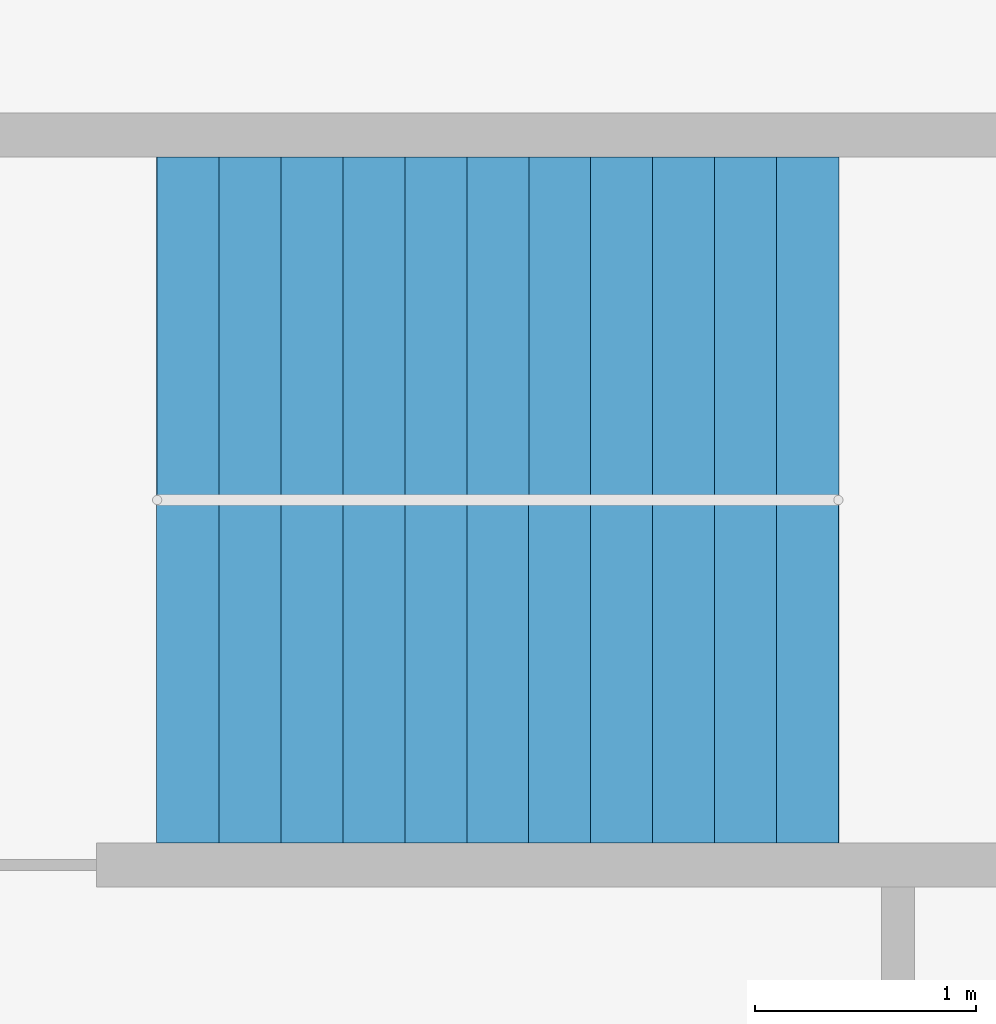
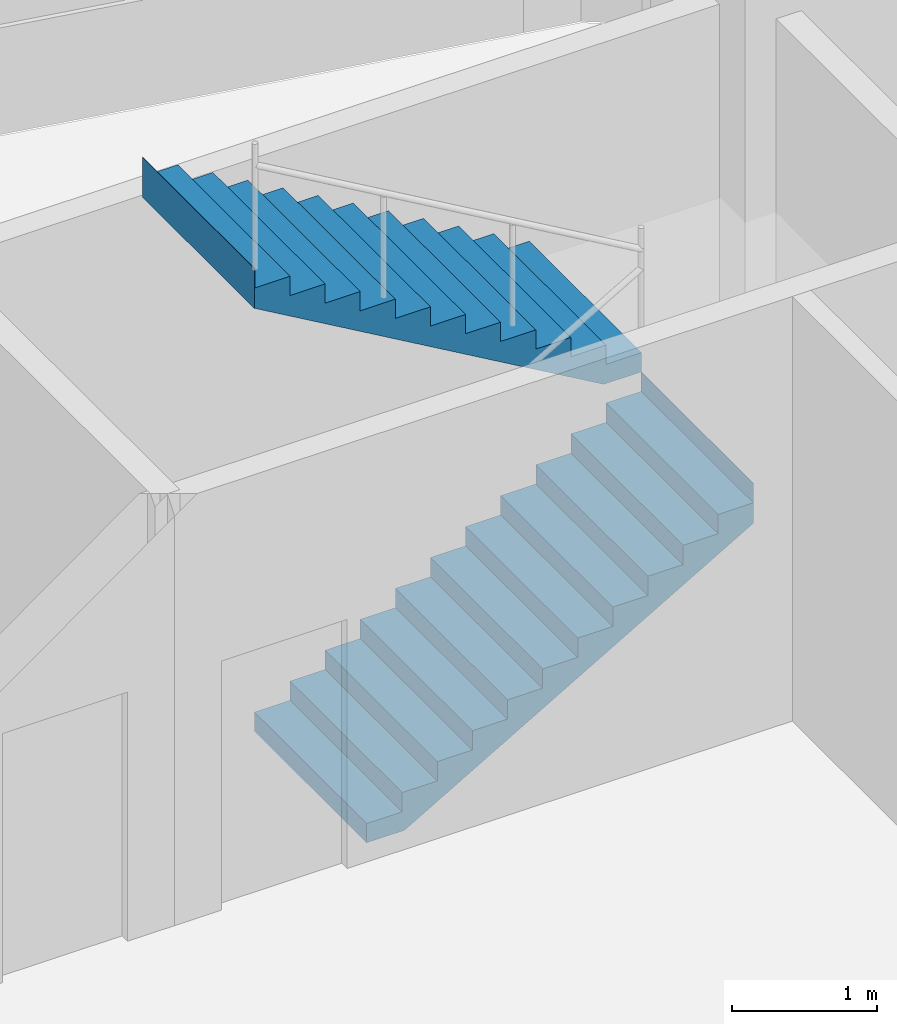
# One storey, part 7 of 9: 2 stair flights, 1 element without a shape of its own.
"""IFC4 building model written with IfcOpenShell, lengths in metres."""

from ifc_helpers import new_model, si_unit, direction, frame, origin, place, context, subcontext, project, spatial, polyline, outline, extrude, material, type_object, element, aggregate, save


model = new_model("IFC4")

# Units and contexts
model_context = context("Model", 3, precision=1e-05, world=origin(), true_north=direction((0.0, 1.0)))
body_context = subcontext(model_context, "Body", "Model", "MODEL_VIEW")
ifc_project = project(units=[si_unit("LENGTHUNIT", "METRE"), si_unit("AREAUNIT", "SQUARE_METRE"), si_unit("VOLUMEUNIT", "CUBIC_METRE"), si_unit("PLANEANGLEUNIT", "RADIAN"), si_unit("MASSUNIT", "GRAM", prefix="KILO")], contexts=[model_context])

# Site, building, storey
site_placement = place(None, origin())
site = spatial("IfcSite", under=ifc_project, at=site_placement, CompositionType="ELEMENT")
building_placement = place(site_placement, origin())
building = spatial("IfcBuilding", under=site, at=building_placement, Name="Qaws Garden Tower", CompositionType="ELEMENT")
storey_placement = place(building_placement, frame((0.0, 0.0, 221.39990234375)))
storey = spatial("IfcBuildingStorey", under=building, at=storey_placement, Name="L54", CompositionType="ELEMENT", Elevation=221.39990234375)

# Stair, stair flights
ifc_material_1 = material(Name="Concrete C40", Category="concrete")
stair_type = type_object("IfcStairType", Name="Exit stair 1350", PredefinedType="HALF_TURN_STAIR", material=ifc_material_1)
stair_placement = place(storey_placement, origin())
stair = element("IfcStair", 1, at=stair_placement, inside=storey, type_object=stair_type, Name="Stair 7", PredefinedType="HALF_TURN_STAIR")
ifc_material_2 = material(Name="Concrete C40", Category="concrete")
stair_flight_type = type_object("IfcStairFlightType", Name="Stair flight 1350", PredefinedType="STRAIGHT", material=ifc_material_2)
stair_flight_1_placement = place(storey_placement, frame((14.75, 67.375, 0.0), z_axis=(0.0, 0.0, 1.0), x_axis=(1.0, 0.0, 0.0)))
stair_flight_1 = element("IfcStairFlight", 2, at=stair_flight_1_placement, type_object=stair_flight_type, Name="ST7 flight 1", NumberOfRisers=12, NumberOfTreads=11, PredefinedType="STRAIGHT", RiserHeight=0.1625, TreadLength=0.28, context=body_context, shape_type="SweptSolid", body=[
    extrude(outline(polyline([(-0.0029296875, 0.0), (-0.0029296875, 0.16259765625), (0.0, 0.16259765625), (0.280029296875, 0.16259765625), (0.280029296875, 0.324951171875), (0.56005859375, 0.324951171875), (0.56005859375, 0.487548828125), (0.840087890625, 0.487548828125), (0.840087890625, 0.64990234375), (1.1201171875, 0.64990234375), (1.1201171875, 0.8125), (1.39990234375, 0.8125), (1.39990234375, 0.97509765625), (1.679931640625, 0.97509765625), (1.679931640625, 1.137451171875), (1.9599609375, 1.137451171875), (1.9599609375, 1.300048828125), (2.239990234375, 1.300048828125), (2.239990234375, 1.46240234375), (2.52001953125, 1.46240234375), (2.52001953125, 1.625), (2.800048828125, 1.625), (2.800048828125, 1.78759765625), (3.080078125, 1.78759765625), (3.080078125, 1.949951171875), (3.0830078125, 1.949951171875), (3.0830078125, 1.6142578125), (3.080078125, 1.6142578125), (0.298583984375, 0.0), (-0.0029296875, 0.0)])), frame((0.0, 0.77490234375, 0.0), z_axis=(0.0, -1.0, 0.0), x_axis=(1.0, 0.0, 0.0)), (0.0, 0.0, 1.0), 1.550048828125),
])
stair_flight_2_placement = place(storey_placement, frame((17.830078125, 68.925048828125, 1.9501953125), z_axis=(0.0, 0.0, 1.0), x_axis=(-1.0, 0.0, 0.0)))
stair_flight_2 = element("IfcStairFlight", 3, at=stair_flight_2_placement, type_object=stair_flight_type, Name="ST7 flight 2", NumberOfRisers=12, NumberOfTreads=11, PredefinedType="STRAIGHT", RiserHeight=0.1625, TreadLength=0.28, context=body_context, shape_type="SweptSolid", body=[
    extrude(outline(polyline([(-0.0029296875, 0.0), (-0.0029296875, 0.16259765625), (0.0, 0.16259765625), (0.280029296875, 0.16259765625), (0.280029296875, 0.324951171875), (0.56005859375, 0.324951171875), (0.56005859375, 0.487548828125), (0.840087890625, 0.487548828125), (0.840087890625, 0.64990234375), (1.1201171875, 0.64990234375), (1.1201171875, 0.8125), (1.39990234375, 0.8125), (1.39990234375, 0.97509765625), (1.679931640625, 0.97509765625), (1.679931640625, 1.137451171875), (1.9599609375, 1.137451171875), (1.9599609375, 1.300048828125), (2.239990234375, 1.300048828125), (2.239990234375, 1.46240234375), (2.52001953125, 1.46240234375), (2.52001953125, 1.625), (2.800048828125, 1.625), (2.800048828125, 1.78759765625), (3.080078125, 1.78759765625), (3.080078125, 1.949951171875), (3.0830078125, 1.949951171875), (3.0830078125, 1.6142578125), (3.080078125, 1.6142578125), (0.298583984375, 0.0), (-0.0029296875, 0.0)])), frame((0.0, 0.77490234375, 0.0), z_axis=(0.0, -1.0, 0.0), x_axis=(1.0, 0.0, 0.0)), (0.0, 0.0, 1.0), 1.550048828125),
])
aggregate(stair, [stair_flight_1, stair_flight_2])

save(model, "model.ifc")
